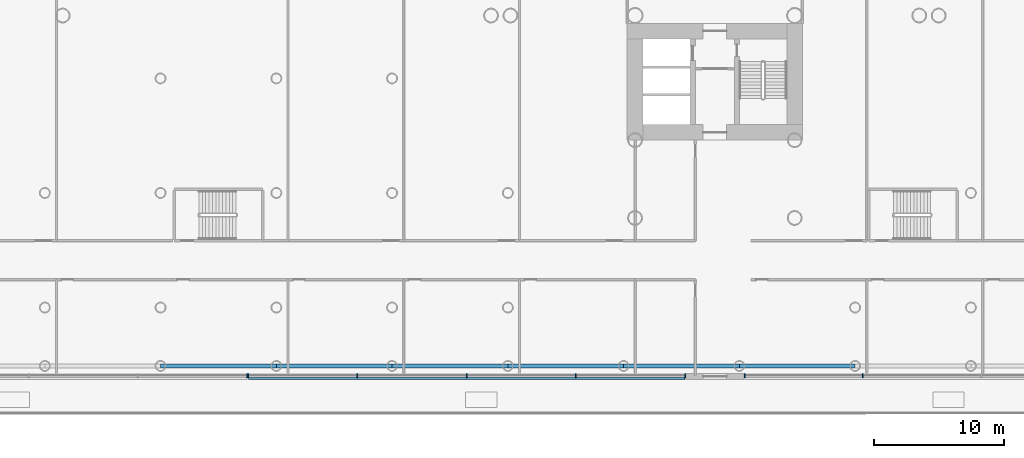
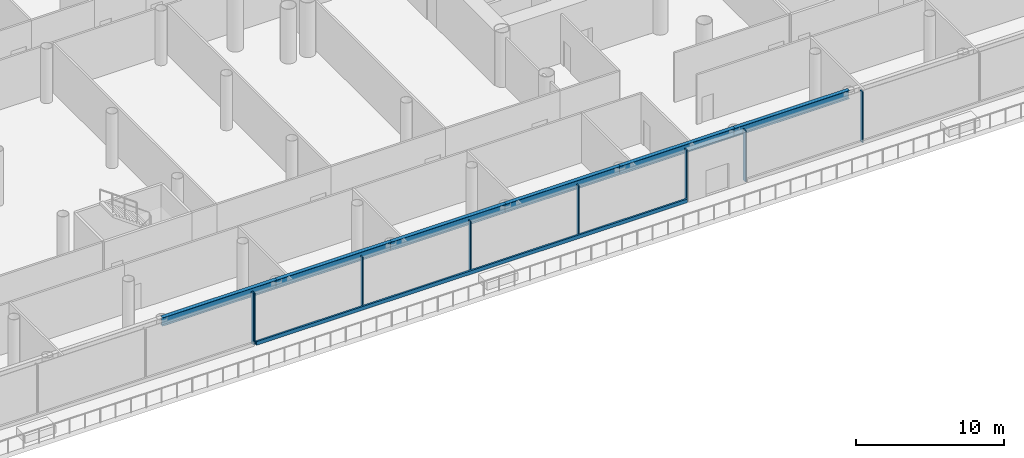
# One storey, part 8 of 51: 9 members, 6 beams, 3 elements without a shape of their own.
"""IFC4 building model written with IfcOpenShell, lengths in metres."""

from ifc_helpers import new_model, si_unit, direction, frame, origin, origin_2d, place, context, subcontext, project, spatial, rectangle, i_section, extrude, material, layer, layer_set, material_profile, profile_set, type_object, element, aggregate, save


model = new_model("IFC4")

# Units and contexts
model_context = context("Model", 3, precision=1e-05, world=origin(), true_north=direction((0.0, 1.0)))
body_context = subcontext(model_context, "Body", "Model", "MODEL_VIEW")
ifc_project = project(units=[si_unit("LENGTHUNIT", "METRE"), si_unit("AREAUNIT", "SQUARE_METRE"), si_unit("VOLUMEUNIT", "CUBIC_METRE"), si_unit("PLANEANGLEUNIT", "RADIAN"), si_unit("MASSUNIT", "GRAM", prefix="KILO")], contexts=[model_context])

# Site, building, storey
site_placement = place(None, origin())
site = spatial("IfcSite", under=ifc_project, at=site_placement, CompositionType="ELEMENT")
building_placement = place(site_placement, origin())
building = spatial("IfcBuilding", under=site, at=building_placement, Name="Ipe Terrace Towers", CompositionType="ELEMENT")
storey_placement = place(building_placement, frame((0.0, 0.0, 15.5)))
storey = spatial("IfcBuildingStorey", under=building, at=storey_placement, Name="L03", CompositionType="ELEMENT", Elevation=15.5)

# Beams
ifc_material_1 = material(Name="Steel S355", Category="steel")
ifc_material_profile_1 = material_profile(ifc_material_1, i_section(OverallWidth=0.300048828125, OverallDepth=0.699951171875, WebThickness=0.012939453125, FlangeThickness=0.02392578125, at=origin_2d()), Name="H-700x300x13x24")
ifc_profile_set_1 = profile_set([ifc_material_profile_1], Name="Steel S355")
beam_type = type_object("IfcBeamType", Name="H13 DECK EDGE BEAM H-700x300x13x24", PredefinedType="BEAM", material=ifc_profile_set_1)
for number, where, z_axis, x_axis, name in (
    (1, (-6.7099609375, -33.14990234375, 3.72998046875), (1.0, 0.0, 0.0), (0.0, 1.0, 0.0), "Deck edge beam PD-TB-C08-C09"),
    (2, (2.2099609375, -33.14990234375, 3.72998046875), (1.0, 0.0, 0.0), (0.0, 1.0, 0.0), "Deck edge beam PD-TB-C09-C10"),
):
    element("IfcBeam", number, at=place(storey_placement, frame(where, z_axis=z_axis, x_axis=x_axis)), inside=storey, type_object=beam_type, Name=name, PredefinedType="BEAM", context=body_context, shape_type="SweptSolid", body=[
        extrude(i_section(OverallWidth=0.300048828125, OverallDepth=0.699951171875, WebThickness=0.012939453125, FlangeThickness=0.02392578125, at=origin_2d()), origin(), (0.0, 0.0, 1.0), 8.919921875),
    ])
beam_1_placement = place(storey_placement, frame((11.1298828125, -33.14990234375, 3.72998046875), z_axis=(1.0, 0.0, 0.0), x_axis=(0.0, 1.0, 0.0)))
element("IfcBeam", 3, at=beam_1_placement, inside=storey, type_object=beam_type, Name="Deck edge beam PD-TB-C10-C11", PredefinedType="BEAM", context=body_context, shape_type="SweptSolid", body=[
    extrude(i_section(OverallWidth=0.300048828125, OverallDepth=0.699951171875, WebThickness=0.012939453125, FlangeThickness=0.02392578125, at=origin_2d()), origin(), (0.0, 0.0, 1.0), 8.920166015625),
])
for number, where, z_axis, x_axis, name in (
    (4, (20.050048828125, -33.14990234375, 3.72998046875), (1.0, 0.0, 0.0), (0.0, 1.0, 0.0), "Deck edge beam PD-TB-C11-C12"),
    (5, (28.969970703125, -33.14990234375, 3.72998046875), (1.0, 0.0, 0.0), (0.0, 1.0, 0.0), "Deck edge beam PD-TB-C12-C13"),
):
    element("IfcBeam", number, at=place(storey_placement, frame(where, z_axis=z_axis, x_axis=x_axis)), inside=storey, type_object=beam_type, Name=name, PredefinedType="BEAM", context=body_context, shape_type="SweptSolid", body=[
        extrude(i_section(OverallWidth=0.300048828125, OverallDepth=0.699951171875, WebThickness=0.012939453125, FlangeThickness=0.02392578125, at=origin_2d()), origin(), (0.0, 0.0, 1.0), 8.919921875),
    ])
beam_2_placement = place(storey_placement, frame((37.889892578125, -33.14990234375, 3.72998046875), z_axis=(1.0, 0.0, 0.0), x_axis=(0.0, 1.0, 0.0)))
element("IfcBeam", 6, at=beam_2_placement, inside=storey, type_object=beam_type, Name="Deck edge beam PD-TB-C13-C14", PredefinedType="BEAM", context=body_context, shape_type="SweptSolid", body=[
    extrude(i_section(OverallWidth=0.300048828125, OverallDepth=0.699951171875, WebThickness=0.012939453125, FlangeThickness=0.02392578125, at=origin_2d()), origin(), (0.0, 0.0, 1.0), 8.920166015625),
])

# Curtain wall, member
ifc_material_2 = material(Name="Aluminium alloy 6063-T6", Category="aluminium")
ifc_layer = layer(ifc_material_2, 0.43994140625)
ifc_layer_set = layer_set([ifc_layer], Name="PODIUM GLAZING CURTAIN WALL")
curtain_wall_type = type_object("IfcCurtainWallType", Name="PODIUM GLAZING CURTAIN WALL", PredefinedType="NOTDEFINED", material=ifc_layer_set)
curtain_wall_1_placement = place(storey_placement, origin())
curtain_wall_1 = element("IfcCurtainWall", 7, at=curtain_wall_1_placement, inside=storey, type_object=curtain_wall_type, Name="POD-CW-L03-03c curtain wall", PredefinedType="NOTDEFINED")
ifc_material_3 = material(Name="Aluminium alloy 6063-T6", Category="aluminium")
ifc_material_profile_2 = material_profile(ifc_material_3, rectangle(XDim=0.300048828125, YDim=0.080078125, at=origin_2d()), Name="PODIUM GLAZING MULLION 300 x 80")
ifc_profile_set_2 = profile_set([ifc_material_profile_2], Name="Aluminium alloy 6063-T6")
member_type_1 = type_object("IfcMemberType", Name="PODIUM GLAZING MULLION 300 x 80", PredefinedType="MULLION", material=ifc_profile_set_2)
member_1_placement = place(storey_placement, frame((-0.0400390625, -33.89990234375, -0.02001953125), z_axis=(0.0, 0.0, 1.0), x_axis=(0.0, -1.0, 0.0)))
member_1 = element("IfcMember", 8, at=member_1_placement, type_object=member_type_1, Name="POD-CW-L03-03c mullion 5", PredefinedType="MULLION", context=body_context, shape_type="SweptSolid", body=[
    extrude(rectangle(XDim=0.300048828125, YDim=0.080078125, at=origin_2d()), origin(), (0.0, 0.0, 1.0), 4.219970703125),
])
aggregate(curtain_wall_1, [member_1])

# Curtain wall, members
curtain_wall_2_placement = place(storey_placement, origin())
curtain_wall_2 = element("IfcCurtainWall", 9, at=curtain_wall_2_placement, inside=storey, type_object=curtain_wall_type, Name="POD-CW-L03-03d curtain wall", PredefinedType="NOTDEFINED")
member_2_placement = place(storey_placement, frame((0.0400390625, -33.89990234375, -0.02001953125), z_axis=(0.0, 0.0, 1.0), x_axis=(0.0, -1.0, 0.0)))
member_2 = element("IfcMember", 10, at=member_2_placement, type_object=member_type_1, Name="POD-CW-L03-03d mullion 1", PredefinedType="MULLION", context=body_context, shape_type="SweptSolid", body=[
    extrude(rectangle(XDim=0.300048828125, YDim=0.080078125, at=origin_2d()), origin(), (0.0, 0.0, 1.0), 4.219970703125),
])
member_3_placement = place(storey_placement, frame((8.45751953125, -33.89990234375, -0.02001953125), z_axis=(0.0, 0.0, 1.0), x_axis=(0.0, -1.0, 0.0)))
member_3 = element("IfcMember", 11, at=member_3_placement, type_object=member_type_1, Name="POD-CW-L03-03d mullion 2", PredefinedType="MULLION", context=body_context, shape_type="SweptSolid", body=[
    extrude(rectangle(XDim=0.300048828125, YDim=0.080078125, at=origin_2d()), origin(), (0.0, 0.0, 1.0), 4.219970703125),
])
member_4_placement = place(storey_placement, frame((16.875, -33.89990234375, -0.02001953125), z_axis=(0.0, 0.0, 1.0), x_axis=(0.0, -1.0, 0.0)))
member_4 = element("IfcMember", 12, at=member_4_placement, type_object=member_type_1, Name="POD-CW-L03-03d mullion 3", PredefinedType="MULLION", context=body_context, shape_type="SweptSolid", body=[
    extrude(rectangle(XDim=0.300048828125, YDim=0.080078125, at=origin_2d()), origin(), (0.0, 0.0, 1.0), 4.219970703125),
])
member_5_placement = place(storey_placement, frame((25.29248046875, -33.89990234375, -0.02001953125), z_axis=(0.0, 0.0, 1.0), x_axis=(0.0, -1.0, 0.0)))
member_5 = element("IfcMember", 13, at=member_5_placement, type_object=member_type_1, Name="POD-CW-L03-03d mullion 4", PredefinedType="MULLION", context=body_context, shape_type="SweptSolid", body=[
    extrude(rectangle(XDim=0.300048828125, YDim=0.080078125, at=origin_2d()), origin(), (0.0, 0.0, 1.0), 4.219970703125),
])
member_6_placement = place(storey_placement, frame((33.7099609375, -33.89990234375, -0.02001953125), z_axis=(0.0, 0.0, 1.0), x_axis=(0.0, -1.0, 0.0)))
member_6 = element("IfcMember", 14, at=member_6_placement, type_object=member_type_1, Name="POD-CW-L03-03d mullion 5", PredefinedType="MULLION", context=body_context, shape_type="SweptSolid", body=[
    extrude(rectangle(XDim=0.300048828125, YDim=0.080078125, at=origin_2d()), origin(), (0.0, 0.0, 1.0), 4.219970703125),
])

curtain_wall_3_placement = place(storey_placement, origin())
curtain_wall_3 = element("IfcCurtainWall", 15, at=curtain_wall_3_placement, inside=storey, type_object=curtain_wall_type, Name="POD-CW-L03-03f curtain wall", PredefinedType="NOTDEFINED")
member_7_placement = place(storey_placement, frame((38.2900390625, -33.89990234375, -0.02001953125), z_axis=(0.0, 0.0, 1.0), x_axis=(0.0, -1.0, 0.0)))
member_7 = element("IfcMember", 16, at=member_7_placement, type_object=member_type_1, Name="POD-CW-L03-03f mullion 1", PredefinedType="MULLION", context=body_context, shape_type="SweptSolid", body=[
    extrude(rectangle(XDim=0.300048828125, YDim=0.080078125, at=origin_2d()), origin(), (0.0, 0.0, 1.0), 4.219970703125),
])
member_8_placement = place(storey_placement, frame((47.409912109375, -33.89990234375, -0.02001953125), z_axis=(0.0, 0.0, 1.0), x_axis=(0.0, -1.0, 0.0)))
member_8 = element("IfcMember", 17, at=member_8_placement, type_object=member_type_1, Name="POD-CW-L03-03f mullion 2", PredefinedType="MULLION", context=body_context, shape_type="SweptSolid", body=[
    extrude(rectangle(XDim=0.300048828125, YDim=0.080078125, at=origin_2d()), origin(), (0.0, 0.0, 1.0), 4.219970703125),
])
aggregate(curtain_wall_3, [member_7, member_8])

# Member
ifc_material_4 = material(Name="Aluminium alloy 6063-T6", Category="aluminium")
ifc_material_profile_3 = material_profile(ifc_material_4, rectangle(XDim=0.139892578125, YDim=0.300048828125, at=origin_2d()), Name="PODIUM GLAZING TRANSOM 140 x 300")
ifc_profile_set_3 = profile_set([ifc_material_profile_3], Name="Aluminium alloy 6063-T6")
member_type_2 = type_object("IfcMemberType", Name="PODIUM GLAZING TRANSOM 140 x 300", PredefinedType="USERDEFINED", material=ifc_profile_set_3)
member_9_placement = place(storey_placement, frame((0.080078125, -34.1201171875, 0.1298828125), z_axis=(1.0, 0.0, 0.0), x_axis=(0.0, -1.0, 0.0)))
member_9 = element("IfcMember", 18, at=member_9_placement, type_object=member_type_2, Name="POD-CW-L03-03d transom", ObjectType="TRANSOM", PredefinedType="USERDEFINED", context=body_context, shape_type="SweptSolid", body=[
    extrude(rectangle(XDim=0.139892578125, YDim=0.300048828125, at=origin_2d()), origin(), (0.0, 0.0, 1.0), 33.58984375),
])

aggregate(curtain_wall_2, [member_2, member_3, member_4, member_5, member_6, member_9])

save(model, "model.ifc")
